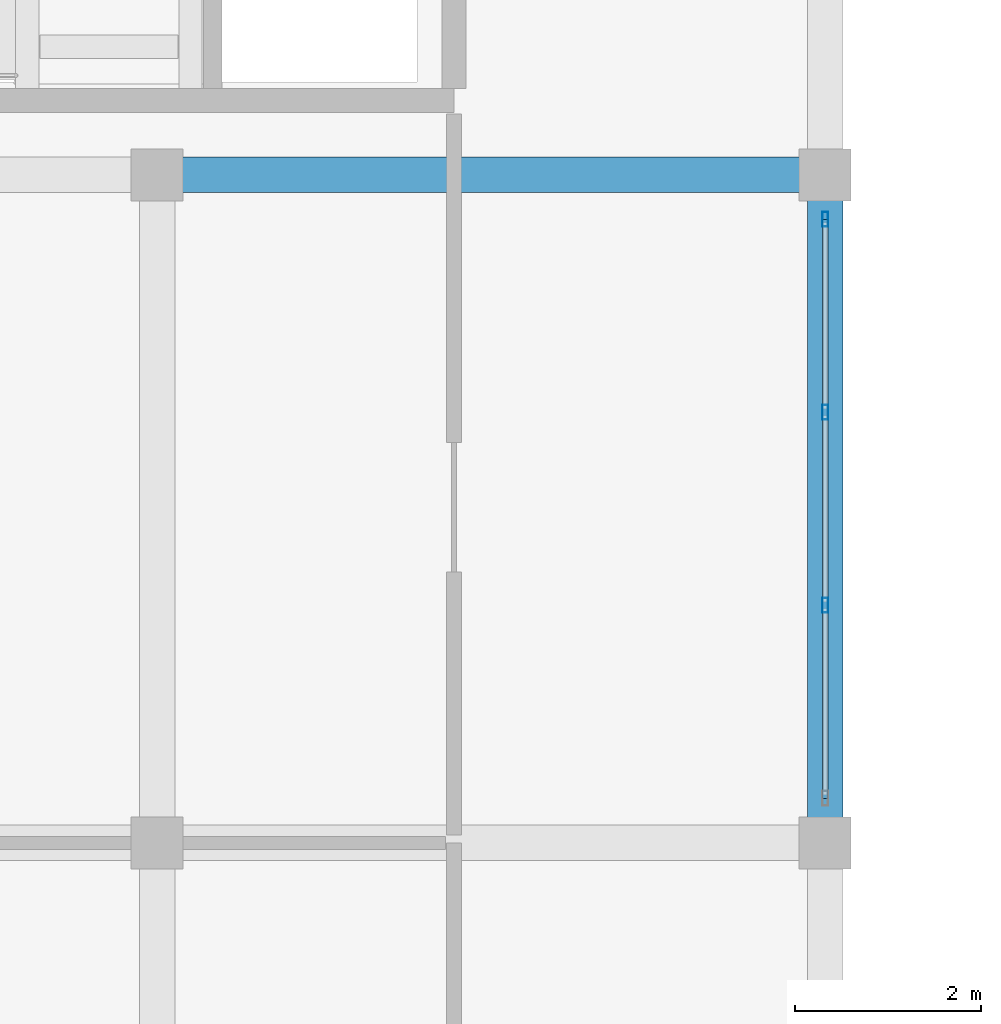
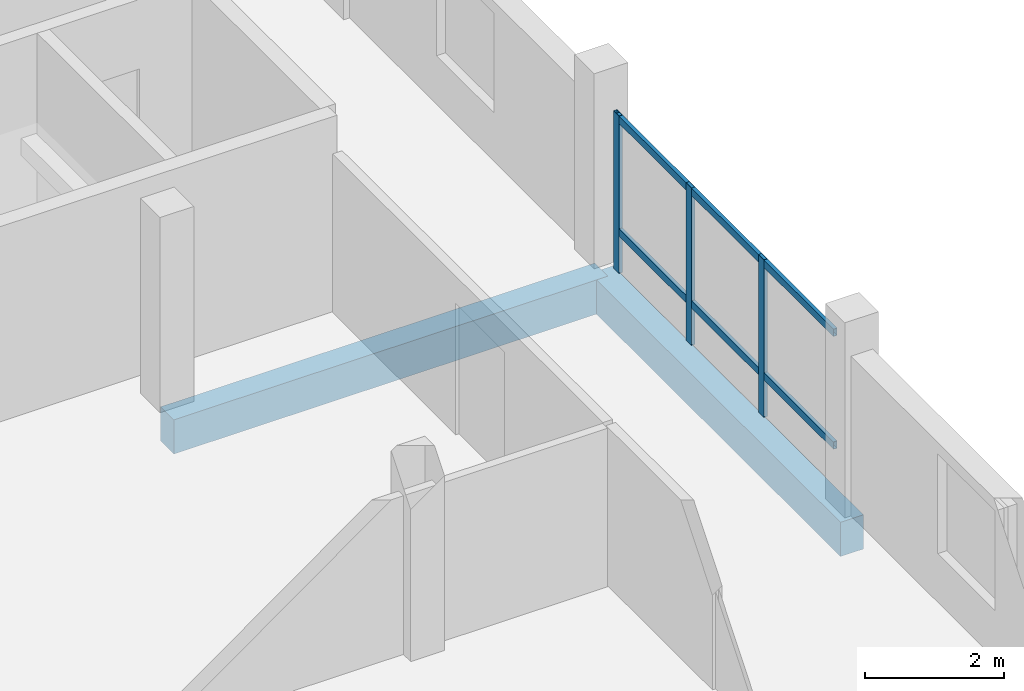
# One storey, part 12 of 84: 5 members, 2 beams, 1 element without a shape of its own.
"""IFC4 building model written with IfcOpenShell, lengths in metres."""

from ifc_helpers import new_model, si_unit, direction, frame, origin, origin_2d, place, context, subcontext, project, spatial, rectangle, hollow_rectangle, extrude, material, material_profile, profile_set, type_object, element, aggregate, save


model = new_model("IFC4")

# Units and contexts
model_context = context("Model", 3, precision=1e-05, world=origin(), true_north=direction((0.0, 1.0)))
body_context = subcontext(model_context, "Body", "Model", "MODEL_VIEW")
ifc_project = project(units=[si_unit("LENGTHUNIT", "METRE"), si_unit("AREAUNIT", "SQUARE_METRE"), si_unit("VOLUMEUNIT", "CUBIC_METRE"), si_unit("PLANEANGLEUNIT", "RADIAN"), si_unit("MASSUNIT", "GRAM", prefix="KILO")], contexts=[model_context])

# Site, building, storey
site_placement = place(None, origin())
site = spatial("IfcSite", under=ifc_project, at=site_placement, CompositionType="ELEMENT")
building_placement = place(site_placement, origin())
building = spatial("IfcBuilding", under=site, at=building_placement, Name="Zornivar Specialist Clinic", CompositionType="ELEMENT")
storey_placement = place(building_placement, frame((0.0, 0.0, 12.300048828125)))
storey = spatial("IfcBuildingStorey", under=building, at=storey_placement, Name="L03", CompositionType="ELEMENT", Elevation=12.300048828125)

# Beams
ifc_material_1 = material(Name="Concrete C30/37", Category="concrete")
ifc_material_profile_1 = material_profile(ifc_material_1, rectangle(XDim=0.3798828125, YDim=0.60009765625, at=origin_2d()), Name="RC 380x600")
ifc_profile_set_1 = profile_set([ifc_material_profile_1], Name="Concrete C30/37")
beam_type = type_object("IfcBeamType", Name="BM-RC-380x600", PredefinedType="BEAM", material=ifc_profile_set_1)
for number, where, z_axis, x_axis, name in (
    (1, (7.199951171875, 36.0, -0.580078125), (1.0, 0.0, 0.0), (0.0, 1.0, 0.0), "bm:V2:L03:x:360:1"),
    (2, (14.39990234375, 28.800048828125, -0.580078125), (0.0, 1.0, 0.0), (-1.0, 0.0, 0.0), "bm:V2:L03:y:144:4"),
):
    element("IfcBeam", number, at=place(storey_placement, frame(where, z_axis=z_axis, x_axis=x_axis)), inside=storey, type_object=beam_type, Name=name, PredefinedType="BEAM", context=body_context, shape_type="SweptSolid", body=[
        extrude(rectangle(XDim=0.3798828125, YDim=0.60009765625, at=origin_2d()), origin(), (0.0, 0.0, 1.0), 7.199951171875),
    ])

# Curtain wall, members
ifc_material_2 = material(Name="Aluminium and Low-E Glass Curtain Wall", Category="aluminium")
curtain_wall_type = type_object("IfcCurtainWallType", Name="CW-REVAK-COURT", PredefinedType="NOTDEFINED", material=ifc_material_2)
curtain_wall_placement = place(storey_placement, origin())
curtain_wall = element("IfcCurtainWall", 3, at=curtain_wall_placement, inside=storey, type_object=curtain_wall_type, Name="cw:V2:L03:14", PredefinedType="NOTDEFINED")
ifc_material_3 = material(Name="Aluminium AW-6060", Category="aluminium")
ifc_material_profile_2 = material_profile(ifc_material_3, hollow_rectangle(XDim=0.06005859375, YDim=0.159912109375, WallThickness=0.00390625, at=origin_2d()), Name="ALU 60x160x4")
ifc_profile_set_2 = profile_set([ifc_material_profile_2], Name="Aluminium AW-6060")
member_type_1 = type_object("IfcMemberType", Name="CWM-MUL-160", PredefinedType="MULLION", material=ifc_profile_set_2)
member_1_placement = place(storey_placement, frame((14.39990234375, 31.360107421875, 0.0), z_axis=(0.0, 0.0, 1.0), x_axis=(1.0, 0.0, 0.0)))
member_1 = element("IfcMember", 4, at=member_1_placement, type_object=member_type_1, Name="cw:V2:L03:14:mul:1", PredefinedType="MULLION", context=body_context, shape_type="SweptSolid", body=[
    extrude(hollow_rectangle(XDim=0.06005859375, YDim=0.159912109375, WallThickness=0.00390625, at=origin_2d()), origin(), (0.0, 0.0, 1.0), 2.760009765625),
])
member_2_placement = place(storey_placement, frame((14.39990234375, 33.43994140625, 0.0), z_axis=(0.0, 0.0, 1.0), x_axis=(1.0, 0.0, 0.0)))
member_2 = element("IfcMember", 5, at=member_2_placement, type_object=member_type_1, Name="cw:V2:L03:14:mul:2", PredefinedType="MULLION", context=body_context, shape_type="SweptSolid", body=[
    extrude(hollow_rectangle(XDim=0.06005859375, YDim=0.159912109375, WallThickness=0.00390625, at=origin_2d()), origin(), (0.0, 0.0, 1.0), 2.760009765625),
])
member_3_placement = place(storey_placement, frame((14.39990234375, 35.52001953125, 0.0), z_axis=(0.0, 0.0, 1.0), x_axis=(1.0, 0.0, 0.0)))
member_3 = element("IfcMember", 6, at=member_3_placement, type_object=member_type_1, Name="cw:V2:L03:14:mul:3", PredefinedType="MULLION", context=body_context, shape_type="SweptSolid", body=[
    extrude(hollow_rectangle(XDim=0.06005859375, YDim=0.159912109375, WallThickness=0.00390625, at=origin_2d()), origin(), (0.0, 0.0, 1.0), 2.760009765625),
])
ifc_material_4 = material(Name="Aluminium AW-6060", Category="aluminium")
ifc_material_profile_3 = material_profile(ifc_material_4, hollow_rectangle(XDim=0.06005859375, YDim=0.1298828125, WallThickness=0.00390625, at=origin_2d()), Name="ALU 60x130x4")
ifc_profile_set_3 = profile_set([ifc_material_profile_3], Name="Aluminium AW-6060")
member_type_2 = type_object("IfcMemberType", Name="CWM-TRN-130", PredefinedType="USERDEFINED", material=ifc_profile_set_3)
member_4_placement = place(storey_placement, frame((14.39990234375, 29.280029296875, 0.718017578125), z_axis=(0.0, 1.0, 0.0), x_axis=(-1.0, 0.0, 0.0)))
member_4 = element("IfcMember", 7, at=member_4_placement, type_object=member_type_2, Name="cw:V2:L03:14:trn:0", ObjectType="TRANSOM", PredefinedType="USERDEFINED", context=body_context, shape_type="SweptSolid", body=[
    extrude(hollow_rectangle(XDim=0.06005859375, YDim=0.1298828125, WallThickness=0.00390625, at=origin_2d()), origin(), (0.0, 0.0, 1.0), 6.239990234375),
])
member_5_placement = place(storey_placement, frame((14.39990234375, 29.280029296875, 2.695068359375), z_axis=(0.0, 1.0, 0.0), x_axis=(-1.0, 0.0, 0.0)))
member_5 = element("IfcMember", 8, at=member_5_placement, type_object=member_type_2, Name="cw:V2:L03:14:trn:1", ObjectType="TRANSOM", PredefinedType="USERDEFINED", context=body_context, shape_type="SweptSolid", body=[
    extrude(hollow_rectangle(XDim=0.06005859375, YDim=0.1298828125, WallThickness=0.00390625, at=origin_2d()), origin(), (0.0, 0.0, 1.0), 6.239990234375),
])
aggregate(curtain_wall, [member_1, member_2, member_3, member_4, member_5])

save(model, "model.ifc")
